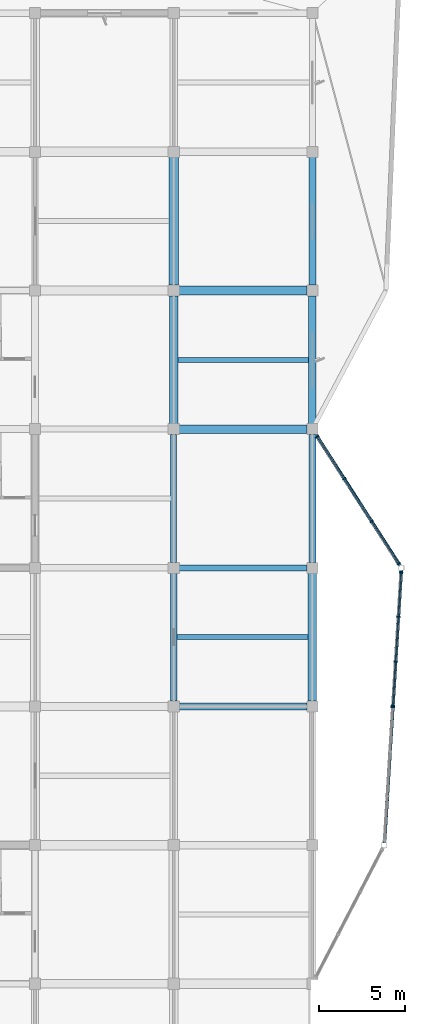
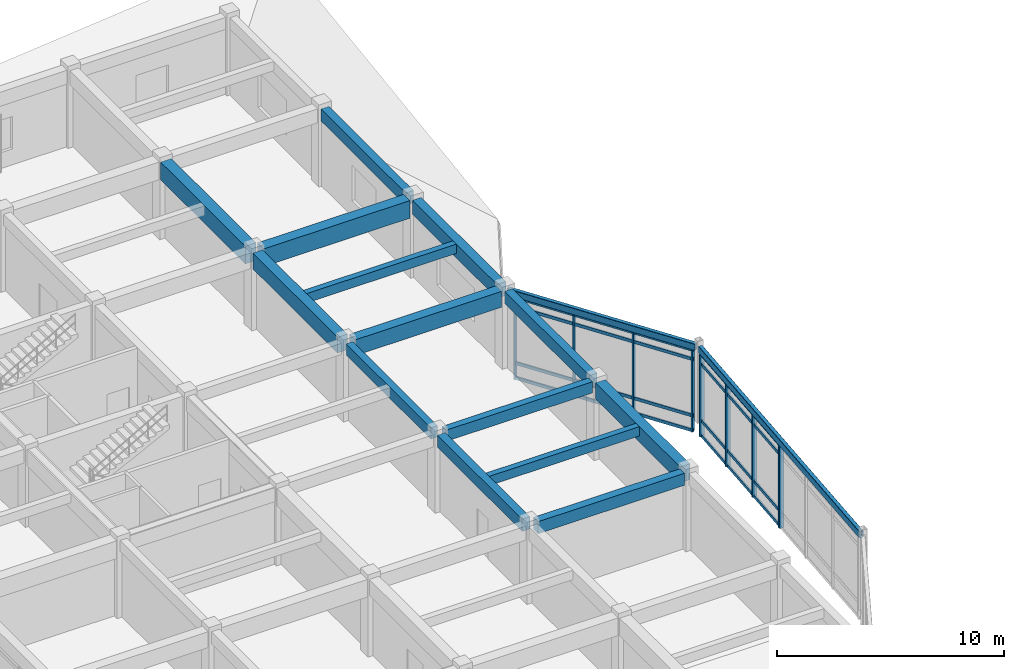
# One storey, part 19 of 40: 17 members, 16 beams, 3 elements without a shape of their own.
"""IFC4 building model written with IfcOpenShell, lengths in metres."""

from ifc_helpers import new_model, si_unit, direction, frame, origin, origin_2d, place, context, subcontext, project, spatial, rectangle, hollow_rectangle, extrude, material, layer, layer_set, material_profile, profile_set, type_object, element, aggregate, save


model = new_model("IFC4")

# Units and contexts
model_context = context("Model", 3, precision=1e-05, world=origin(), true_north=direction((0.0, 1.0)))
body_context = subcontext(model_context, "Body", "Model", "MODEL_VIEW")
ifc_project = project(units=[si_unit("LENGTHUNIT", "METRE"), si_unit("AREAUNIT", "SQUARE_METRE"), si_unit("VOLUMEUNIT", "CUBIC_METRE"), si_unit("PLANEANGLEUNIT", "RADIAN"), si_unit("MASSUNIT", "GRAM", prefix="KILO")], contexts=[model_context])

# Site, building, storey
site_placement = place(None, origin())
site = spatial("IfcSite", under=ifc_project, at=site_placement, CompositionType="ELEMENT")
building_placement = place(site_placement, origin())
building = spatial("IfcBuilding", under=site, at=building_placement, Name="Vaudrelin Polytechnic", CompositionType="ELEMENT")
storey_placement = place(building_placement, frame((0.0, 0.0, 22.949951171875)))
storey = spatial("IfcBuildingStorey", under=building, at=storey_placement, Name="L05", CompositionType="ELEMENT", Elevation=22.949951171875)

# Beams
ifc_material_1 = material(Name="Concrete 40 MPa", Category="concrete")
ifc_material_profile_1 = material_profile(ifc_material_1, rectangle(XDim=0.35009765625, YDim=0.60009765625, at=origin_2d()), Name="RC350x600")
ifc_profile_set_1 = profile_set([ifc_material_profile_1], Name="Concrete 40 MPa")
beam_type_1 = type_object("IfcBeamType", Name="BM-BM-RC3560", PredefinedType="BEAM", material=ifc_profile_set_1)
beam_1_placement = place(storey_placement, frame((162.0, 89.409912109375, 3.860107421875), z_axis=(0.0, 1.0, 0.0), x_axis=(-1.0, 0.0, 0.0)))
element("IfcBeam", 1, at=beam_1_placement, inside=storey, type_object=beam_type_1, Name="L05 Y-beam 21-12", PredefinedType="BEAM", context=body_context, shape_type="SweptSolid", body=[
    extrude(rectangle(XDim=0.35009765625, YDim=0.60009765625, at=origin_2d()), origin(), (0.0, 0.0, 1.0), 7.47998046875),
])
beam_2_placement = place(storey_placement, frame((162.321044921875, 89.10009765625, 3.860107421875), z_axis=(1.0, 0.0, 0.0), x_axis=(0.0, 1.0, 0.0)))
element("IfcBeam", 2, at=beam_2_placement, inside=storey, type_object=beam_type_1, Name="L05 X-beam 21-12", PredefinedType="BEAM", context=body_context, shape_type="SweptSolid", body=[
    extrude(rectangle(XDim=0.35009765625, YDim=0.60009765625, at=origin_2d()), origin(), (0.0, 0.0, 1.0), 7.4580078125),
])
ifc_material_profile_2 = material_profile(ifc_material_1, rectangle(XDim=0.39990234375, YDim=0.64990234375, at=origin_2d()), Name="RC400x650")
ifc_profile_set_2 = profile_set([ifc_material_profile_2], Name="Concrete 40 MPa")
beam_type_2 = type_object("IfcBeamType", Name="BM-BM-RC4065", PredefinedType="BEAM", material=ifc_profile_set_2)
for number, where, z_axis, x_axis, name in (
    (3, (162.0, 81.31005859375, 3.8349609375), (0.0, 1.0, 0.0), (-1.0, 0.0, 0.0), "L05 Y-beam 21-11"),
    (4, (170.10009765625, 105.610107421875, 3.8349609375), (0.0, 1.0, 0.0), (-1.0, 0.0, 0.0), "L05 Y-beam 22-14"),
):
    element("IfcBeam", number, at=place(storey_placement, frame(where, z_axis=z_axis, x_axis=x_axis)), inside=storey, type_object=beam_type_2, Name=name, PredefinedType="BEAM", context=body_context, shape_type="SweptSolid", body=[
        extrude(rectangle(XDim=0.39990234375, YDim=0.64990234375, at=origin_2d()), origin(), (0.0, 0.0, 1.0), 7.47998046875),
    ])
beam_3_placement = place(storey_placement, frame((162.321044921875, 81.0, 3.8349609375), z_axis=(1.0, 0.0, 0.0), x_axis=(0.0, 1.0, 0.0)))
element("IfcBeam", 5, at=beam_3_placement, inside=storey, type_object=beam_type_2, Name="L05 X-beam 21-11", PredefinedType="BEAM", context=body_context, shape_type="SweptSolid", body=[
    extrude(rectangle(XDim=0.39990234375, YDim=0.64990234375, at=origin_2d()), origin(), (0.0, 0.0, 1.0), 7.4580078125),
])
ifc_material_profile_3 = material_profile(ifc_material_1, rectangle(XDim=0.449951171875, YDim=0.75, at=origin_2d()), Name="RC450x750")
ifc_profile_set_3 = profile_set([ifc_material_profile_3], Name="Concrete 40 MPa")
beam_type_3 = type_object("IfcBeamType", Name="BM-BM-RC4575", PredefinedType="BEAM", material=ifc_profile_set_3)
beam_4_placement = place(storey_placement, frame((170.10009765625, 97.510009765625, 3.78515625), z_axis=(0.0, 1.0, 0.0), x_axis=(-1.0, 0.0, 0.0)))
element("IfcBeam", 6, at=beam_4_placement, inside=storey, type_object=beam_type_3, Name="L05 Y-beam 22-13", PredefinedType="BEAM", context=body_context, shape_type="SweptSolid", body=[
    extrude(rectangle(XDim=0.449951171875, YDim=0.75, at=origin_2d()), origin(), (0.0, 0.0, 1.0), 7.47998046875),
])
ifc_material_profile_4 = material_profile(ifc_material_1, rectangle(XDim=0.5, YDim=0.85009765625, at=origin_2d()), Name="RC500x850")
ifc_profile_set_4 = profile_set([ifc_material_profile_4], Name="Concrete 40 MPa")
beam_type_4 = type_object("IfcBeamType", Name="BM-BM-RC5085", PredefinedType="BEAM", material=ifc_profile_set_4)
for number, where, z_axis, x_axis, name in (
    (7, (162.0, 97.510009765625, 3.735107421875), (0.0, 1.0, 0.0), (-1.0, 0.0, 0.0), "L05 Y-beam 21-13"),
    (8, (170.10009765625, 81.31005859375, 3.735107421875), (0.0, 1.0, 0.0), (-1.0, 0.0, 0.0), "L05 Y-beam 22-11"),
):
    element("IfcBeam", number, at=place(storey_placement, frame(where, z_axis=z_axis, x_axis=x_axis)), inside=storey, type_object=beam_type_4, Name=name, PredefinedType="BEAM", context=body_context, shape_type="SweptSolid", body=[
        extrude(rectangle(XDim=0.5, YDim=0.85009765625, at=origin_2d()), origin(), (0.0, 0.0, 1.0), 7.47998046875),
    ])
beam_5_placement = place(storey_placement, frame((162.321044921875, 97.199951171875, 3.735107421875), z_axis=(1.0, 0.0, 0.0), x_axis=(0.0, 1.0, 0.0)))
element("IfcBeam", 9, at=beam_5_placement, inside=storey, type_object=beam_type_4, Name="L05 X-beam 21-13", PredefinedType="BEAM", context=body_context, shape_type="SweptSolid", body=[
    extrude(rectangle(XDim=0.5, YDim=0.85009765625, at=origin_2d()), origin(), (0.0, 0.0, 1.0), 7.4580078125),
])
ifc_material_2 = material(Name="Concrete 50 MPa", Category="concrete")
ifc_material_profile_5 = material_profile(ifc_material_2, rectangle(XDim=0.550048828125, YDim=0.949951171875, at=origin_2d()), Name="RC550x950")
ifc_profile_set_5 = profile_set([ifc_material_profile_5], Name="Concrete 50 MPa")
beam_type_5 = type_object("IfcBeamType", Name="BM-BM-RC5595", PredefinedType="BEAM", material=ifc_profile_set_5)
beam_6_placement = place(storey_placement, frame((162.0, 105.610107421875, 3.68505859375), z_axis=(0.0, 1.0, 0.0), x_axis=(-1.0, 0.0, 0.0)))
element("IfcBeam", 10, at=beam_6_placement, inside=storey, type_object=beam_type_5, Name="L05 Y-beam 21-14", PredefinedType="BEAM", context=body_context, shape_type="SweptSolid", body=[
    extrude(rectangle(XDim=0.550048828125, YDim=0.949951171875, at=origin_2d()), origin(), (0.0, 0.0, 1.0), 7.47998046875),
])
beam_7_placement = place(storey_placement, frame((162.321044921875, 105.300048828125, 3.68505859375), z_axis=(1.0, 0.0, 0.0), x_axis=(0.0, 1.0, 0.0)))
element("IfcBeam", 11, at=beam_7_placement, inside=storey, type_object=beam_type_5, Name="L05 X-beam 21-14", PredefinedType="BEAM", context=body_context, shape_type="SweptSolid", body=[
    extrude(rectangle(XDim=0.550048828125, YDim=0.949951171875, at=origin_2d()), origin(), (0.0, 0.0, 1.0), 7.4580078125),
])
ifc_material_profile_6 = material_profile(ifc_material_1, rectangle(XDim=0.300048828125, YDim=0.5, at=origin_2d()), Name="RC300x500")
ifc_profile_set_6 = profile_set([ifc_material_profile_6], Name="Concrete 40 MPa")
beam_type_6 = type_object("IfcBeamType", Name="BM-JS-RC3050", PredefinedType="JOIST", material=ifc_profile_set_6)
beam_8_placement = place(storey_placement, frame((162.196044921875, 85.050048828125, 3.91015625), z_axis=(1.0, 0.0, 0.0), x_axis=(0.0, 1.0, 0.0)))
element("IfcBeam", 12, at=beam_8_placement, inside=storey, type_object=beam_type_6, Name="L05 floor joist 21-11", PredefinedType="JOIST", context=body_context, shape_type="SweptSolid", body=[
    extrude(rectangle(XDim=0.300048828125, YDim=0.5, at=origin_2d()), origin(), (0.0, 0.0, 1.0), 7.657958984375),
])
beam_9_placement = place(storey_placement, frame((162.24609375, 101.25, 3.91015625), z_axis=(1.0, 0.0, 0.0), x_axis=(0.0, 1.0, 0.0)))
element("IfcBeam", 13, at=beam_9_placement, inside=storey, type_object=beam_type_6, Name="L05 floor joist 21-13", PredefinedType="JOIST", context=body_context, shape_type="SweptSolid", body=[
    extrude(rectangle(XDim=0.300048828125, YDim=0.5, at=origin_2d()), origin(), (0.0, 0.0, 1.0), 7.6328125),
])
ifc_material_3 = material(Name="Steel CSA G40.21 350WT", Category="steel")
ifc_material_profile_7 = material_profile(ifc_material_3, hollow_rectangle(XDim=0.202880859375, YDim=0.35595703125, WallThickness=0.0126953125, InnerFilletRadius=0.0126953125, OuterFilletRadius=0.025390625, at=origin_2d()), Name="HSS356x203x12.7")
ifc_profile_set_7 = profile_set([ifc_material_profile_7], Name="Steel CSA G40.21 350WT")
beam_type_7 = type_object("IfcBeamType", Name="BM-SP-HSS35", PredefinedType="SPANDREL", material=ifc_profile_set_7)
beam_10_placement = place(storey_placement, frame((174.30859375, 73.039794921875, 3.98193359375), z_axis=(0.061621667017, 0.998099579278, 0.0), x_axis=(-0.998099579278, 0.061621667017, 0.0)))
element("IfcBeam", 14, at=beam_10_placement, inside=storey, type_object=beam_type_7, Name="Sculptural edge beam L05 E_OR2_B2", PredefinedType="SPANDREL", context=body_context, shape_type="SweptSolid", body=[
    extrude(hollow_rectangle(XDim=0.202880859375, YDim=0.35595703125, WallThickness=0.0126953125, InnerFilletRadius=0.0126953125, OuterFilletRadius=0.025390625, at=origin_2d()), origin(), (0.0, 0.0, 1.0), 15.95068359375),
])
beam_11_placement = place(storey_placement, frame((175.224365234375, 89.2177734375, 3.98193359375), z_axis=(-0.540233319411, 0.841515276509, 0.0), x_axis=(-0.841515276509, -0.540233319411, 0.0)))
element("IfcBeam", 15, at=beam_11_placement, inside=storey, type_object=beam_type_7, Name="Sculptural edge beam L05 E_OR2_B3", PredefinedType="SPANDREL", context=body_context, shape_type="SweptSolid", body=[
    extrude(hollow_rectangle(XDim=0.202880859375, YDim=0.35595703125, WallThickness=0.0126953125, InnerFilletRadius=0.0126953125, OuterFilletRadius=0.025390625, at=origin_2d()), origin(), (0.0, 0.0, 1.0), 9.345703125),
])
ifc_material_profile_8 = material_profile(ifc_material_1, rectangle(XDim=0.39990234375, YDim=0.64990234375, at=origin_2d()), Name="RC400x650")
ifc_profile_set_8 = profile_set([ifc_material_profile_8], Name="Concrete 40 MPa")
beam_type_8 = type_object("IfcBeamType", Name="BM-SP-RC4065", PredefinedType="SPANDREL", material=ifc_profile_set_8)
beam_12_placement = place(storey_placement, frame((170.10009765625, 89.409912109375, 3.8349609375), z_axis=(0.0, 1.0, 0.0), x_axis=(-1.0, 0.0, 0.0)))
element("IfcBeam", 16, at=beam_12_placement, inside=storey, type_object=beam_type_8, Name="L05 Y-beam 22-12", PredefinedType="SPANDREL", context=body_context, shape_type="SweptSolid", body=[
    extrude(rectangle(XDim=0.39990234375, YDim=0.64990234375, at=origin_2d()), origin(), (0.0, 0.0, 1.0), 7.47998046875),
])

# Curtain wall, member
ifc_material_4 = material(Name="Thermally broken anodised aluminium AA 6063-T6 and low-e triple glazing", Category="aluminium")
ifc_layer = layer(ifc_material_4, 0.199951171875)
ifc_layer_set = layer_set([ifc_layer], Name="Thermally broken anodised aluminium AA 6063-T6 and low-e triple glazing")
curtain_wall_type = type_object("IfcCurtainWallType", Name="CW-CW-LAB", PredefinedType="USERDEFINED", material=ifc_layer_set)
curtain_wall_1_placement = place(storey_placement, origin())
curtain_wall_1 = element("IfcCurtainWall", 17, at=curtain_wall_1_placement, inside=storey, type_object=curtain_wall_type, Name="Curtain wall L05 E_OR2_2_0", ObjectType="CURTAIN WALL", PredefinedType="USERDEFINED")
ifc_material_5 = material(Name="Anodised aluminium AA 6063-T6", Category="aluminium")
ifc_material_profile_9 = material_profile(ifc_material_5, rectangle(XDim=0.074951171875, YDim=0.219970703125, at=origin_2d()), Name="CWM-75x220")
ifc_profile_set_9 = profile_set([ifc_material_profile_9], Name="Anodised aluminium AA 6063-T6")
member_type_1 = type_object("IfcMemberType", Name="MEM-CWM-220", PredefinedType="MULLION", material=ifc_profile_set_9)
member_1_placement = place(storey_placement, frame((174.797607421875, 80.960205078125, -0.6298828125), z_axis=(0.0, 0.0, 1.0), x_axis=(0.061604568165, 0.998100634797, 0.0)))
member_1 = element("IfcMember", 18, at=member_1_placement, type_object=member_type_1, Name="E_OR2_2_0 mullion 4", PredefinedType="MULLION", context=body_context, shape_type="SweptSolid", body=[
    extrude(rectangle(XDim=0.074951171875, YDim=0.219970703125, at=origin_2d()), origin(), (0.0, 0.0, 1.0), 4.43994140625),
])
aggregate(curtain_wall_1, [member_1])

# Curtain wall, members
curtain_wall_2_placement = place(storey_placement, origin())
curtain_wall_2 = element("IfcCurtainWall", 19, at=curtain_wall_2_placement, inside=storey, type_object=curtain_wall_type, Name="Curtain wall L05 E_OR2_2_1", ObjectType="CURTAIN WALL", PredefinedType="USERDEFINED")
member_2_placement = place(storey_placement, frame((174.802490234375, 81.039794921875, -0.6298828125), z_axis=(0.0, 0.0, 1.0), x_axis=(0.061604568165, 0.998100634797, 0.0)))
member_2 = element("IfcMember", 20, at=member_2_placement, type_object=member_type_1, Name="E_OR2_2_1 mullion 1", PredefinedType="MULLION", context=body_context, shape_type="SweptSolid", body=[
    extrude(rectangle(XDim=0.074951171875, YDim=0.219970703125, at=origin_2d()), origin(), (0.0, 0.0, 1.0), 4.43994140625),
])
member_3_placement = place(storey_placement, frame((174.9619140625, 83.620849609375, -0.6298828125), z_axis=(0.0, 0.0, 1.0), x_axis=(0.061604568165, 0.998100634797, 0.0)))
member_3 = element("IfcMember", 21, at=member_3_placement, type_object=member_type_1, Name="E_OR2_2_1 mullion 2", PredefinedType="MULLION", context=body_context, shape_type="SweptSolid", body=[
    extrude(rectangle(XDim=0.074951171875, YDim=0.219970703125, at=origin_2d()), origin(), (0.0, 0.0, 1.0), 4.43994140625),
])
member_4_placement = place(storey_placement, frame((175.12353515625, 86.24169921875, -0.6298828125), z_axis=(0.0, 0.0, 1.0), x_axis=(0.061604568165, 0.998100634797, 0.0)))
member_4 = element("IfcMember", 22, at=member_4_placement, type_object=member_type_1, Name="E_OR2_2_1 mullion 3", PredefinedType="MULLION", context=body_context, shape_type="SweptSolid", body=[
    extrude(rectangle(XDim=0.074951171875, YDim=0.219970703125, at=origin_2d()), origin(), (0.0, 0.0, 1.0), 4.43994140625),
])
member_5_placement = place(storey_placement, frame((175.28271484375, 88.82275390625, -0.6298828125), z_axis=(0.0, 0.0, 1.0), x_axis=(0.061604568165, 0.998100634797, 0.0)))
member_5 = element("IfcMember", 23, at=member_5_placement, type_object=member_type_1, Name="E_OR2_2_1 mullion 4", PredefinedType="MULLION", context=body_context, shape_type="SweptSolid", body=[
    extrude(rectangle(XDim=0.074951171875, YDim=0.219970703125, at=origin_2d()), origin(), (0.0, 0.0, 1.0), 4.43994140625),
])

curtain_wall_3_placement = place(storey_placement, origin())
curtain_wall_3 = element("IfcCurtainWall", 24, at=curtain_wall_3_placement, inside=storey, type_object=curtain_wall_type, Name="Curtain wall L05 E_OR2_3_0", ObjectType="CURTAIN WALL", PredefinedType="USERDEFINED")
member_6_placement = place(storey_placement, frame((175.134521484375, 89.357666015625, -0.6298828125), z_axis=(0.0, 0.0, 1.0), x_axis=(-0.540228077901, 0.841518641414, 0.0)))
member_6 = element("IfcMember", 25, at=member_6_placement, type_object=member_type_1, Name="E_OR2_3_0 mullion 1", PredefinedType="MULLION", context=body_context, shape_type="SweptSolid", body=[
    extrude(rectangle(XDim=0.074951171875, YDim=0.219970703125, at=origin_2d()), origin(), (0.0, 0.0, 1.0), 4.43994140625),
])
member_7_placement = place(storey_placement, frame((173.5556640625, 91.817138671875, -0.6298828125), z_axis=(0.0, 0.0, 1.0), x_axis=(-0.540228077901, 0.841518641414, 0.0)))
member_7 = element("IfcMember", 26, at=member_7_placement, type_object=member_type_1, Name="E_OR2_3_0 mullion 2", PredefinedType="MULLION", context=body_context, shape_type="SweptSolid", body=[
    extrude(rectangle(XDim=0.074951171875, YDim=0.219970703125, at=origin_2d()), origin(), (0.0, 0.0, 1.0), 4.43994140625),
])
member_8_placement = place(storey_placement, frame((171.955078125, 94.310302734375, -0.6298828125), z_axis=(0.0, 0.0, 1.0), x_axis=(-0.540228077901, 0.841518641414, 0.0)))
member_8 = element("IfcMember", 27, at=member_8_placement, type_object=member_type_1, Name="E_OR2_3_0 mullion 3", PredefinedType="MULLION", context=body_context, shape_type="SweptSolid", body=[
    extrude(rectangle(XDim=0.074951171875, YDim=0.219970703125, at=origin_2d()), origin(), (0.0, 0.0, 1.0), 4.43994140625),
])
member_9_placement = place(storey_placement, frame((170.376220703125, 96.769775390625, -0.6298828125), z_axis=(0.0, 0.0, 1.0), x_axis=(-0.540228077901, 0.841518641414, 0.0)))
member_9 = element("IfcMember", 28, at=member_9_placement, type_object=member_type_1, Name="E_OR2_3_0 mullion 4", PredefinedType="MULLION", context=body_context, shape_type="SweptSolid", body=[
    extrude(rectangle(XDim=0.074951171875, YDim=0.219970703125, at=origin_2d()), origin(), (0.0, 0.0, 1.0), 4.43994140625),
])

# Member
ifc_material_profile_10 = material_profile(ifc_material_5, rectangle(XDim=0.074951171875, YDim=0.1650390625, at=origin_2d()), Name="CWT-75x165")
ifc_profile_set_10 = profile_set([ifc_material_profile_10], Name="Anodised aluminium AA 6063-T6")
member_type_2 = type_object("IfcMemberType", Name="MEM-CWT-165", PredefinedType="USERDEFINED", material=ifc_profile_set_10)
member_10_placement = place(storey_placement, frame((174.800048828125, 81.0, -0.579833984375), z_axis=(0.061610363004, 0.998100277112, 0.0), x_axis=(-0.998100277112, 0.061610363004, 0.0)))
member_10 = element("IfcMember", 29, at=member_10_placement, type_object=member_type_2, Name="E_OR2_2_1 transom 1", ObjectType="TRANSOM", PredefinedType="USERDEFINED", context=body_context, shape_type="SweptSolid", body=[
    extrude(rectangle(XDim=0.074951171875, YDim=0.1650390625, at=origin_2d()), origin(), (0.0, 0.0, 1.0), 7.877685546875),
])

member_11_placement = place(storey_placement, frame((174.800048828125, 81.0, 0.219970703125), z_axis=(0.061610363004, 0.998100277112, 0.0), x_axis=(-0.998100277112, 0.061610363004, 0.0)))
member_11 = element("IfcMember", 30, at=member_11_placement, type_object=member_type_2, Name="E_OR2_2_1 transom 2", ObjectType="TRANSOM", PredefinedType="USERDEFINED", context=body_context, shape_type="SweptSolid", body=[
    extrude(rectangle(XDim=0.074951171875, YDim=0.1650390625, at=origin_2d()), origin(), (0.0, 0.0, 1.0), 7.877685546875),
])

member_12_placement = place(storey_placement, frame((174.800048828125, 81.0, 3.260009765625), z_axis=(0.061610363004, 0.998100277112, 0.0), x_axis=(-0.998100277112, 0.061610363004, 0.0)))
member_12 = element("IfcMember", 31, at=member_12_placement, type_object=member_type_2, Name="E_OR2_2_1 transom 3", ObjectType="TRANSOM", PredefinedType="USERDEFINED", context=body_context, shape_type="SweptSolid", body=[
    extrude(rectangle(XDim=0.074951171875, YDim=0.1650390625, at=origin_2d()), origin(), (0.0, 0.0, 1.0), 7.877685546875),
])

member_13_placement = place(storey_placement, frame((174.800048828125, 81.0, 3.760009765625), z_axis=(0.061610363004, 0.998100277112, 0.0), x_axis=(-0.998100277112, 0.061610363004, 0.0)))
member_13 = element("IfcMember", 32, at=member_13_placement, type_object=member_type_2, Name="E_OR2_2_1 transom 4", ObjectType="TRANSOM", PredefinedType="USERDEFINED", context=body_context, shape_type="SweptSolid", body=[
    extrude(rectangle(XDim=0.074951171875, YDim=0.1650390625, at=origin_2d()), origin(), (0.0, 0.0, 1.0), 7.877685546875),
])

aggregate(curtain_wall_2, [member_2, member_3, member_4, member_5, member_10, member_11, member_12, member_13])

member_14_placement = place(storey_placement, frame((175.15625, 89.323974609375, -0.579833984375), z_axis=(-0.540241050926, 0.841510313005, 0.0), x_axis=(-0.841510313005, -0.540241050926, 0.0)))
member_14 = element("IfcMember", 33, at=member_14_placement, type_object=member_type_2, Name="E_OR2_3_0 transom 1", ObjectType="TRANSOM", PredefinedType="USERDEFINED", context=body_context, shape_type="SweptSolid", body=[
    extrude(rectangle(XDim=0.074951171875, YDim=0.1650390625, at=origin_2d()), origin(), (0.0, 0.0, 1.0), 8.88818359375),
])

member_15_placement = place(storey_placement, frame((175.15625, 89.323974609375, 0.219970703125), z_axis=(-0.540241050926, 0.841510313005, 0.0), x_axis=(-0.841510313005, -0.540241050926, 0.0)))
member_15 = element("IfcMember", 34, at=member_15_placement, type_object=member_type_2, Name="E_OR2_3_0 transom 2", ObjectType="TRANSOM", PredefinedType="USERDEFINED", context=body_context, shape_type="SweptSolid", body=[
    extrude(rectangle(XDim=0.074951171875, YDim=0.1650390625, at=origin_2d()), origin(), (0.0, 0.0, 1.0), 8.88818359375),
])

member_16_placement = place(storey_placement, frame((175.15625, 89.323974609375, 3.260009765625), z_axis=(-0.540241050926, 0.841510313005, 0.0), x_axis=(-0.841510313005, -0.540241050926, 0.0)))
member_16 = element("IfcMember", 35, at=member_16_placement, type_object=member_type_2, Name="E_OR2_3_0 transom 3", ObjectType="TRANSOM", PredefinedType="USERDEFINED", context=body_context, shape_type="SweptSolid", body=[
    extrude(rectangle(XDim=0.074951171875, YDim=0.1650390625, at=origin_2d()), origin(), (0.0, 0.0, 1.0), 8.88818359375),
])

member_17_placement = place(storey_placement, frame((175.15625, 89.323974609375, 3.760009765625), z_axis=(-0.540241050926, 0.841510313005, 0.0), x_axis=(-0.841510313005, -0.540241050926, 0.0)))
member_17 = element("IfcMember", 36, at=member_17_placement, type_object=member_type_2, Name="E_OR2_3_0 transom 4", ObjectType="TRANSOM", PredefinedType="USERDEFINED", context=body_context, shape_type="SweptSolid", body=[
    extrude(rectangle(XDim=0.074951171875, YDim=0.1650390625, at=origin_2d()), origin(), (0.0, 0.0, 1.0), 8.88818359375),
])

aggregate(curtain_wall_3, [member_6, member_7, member_8, member_9, member_14, member_15, member_16, member_17])

save(model, "model.ifc")
